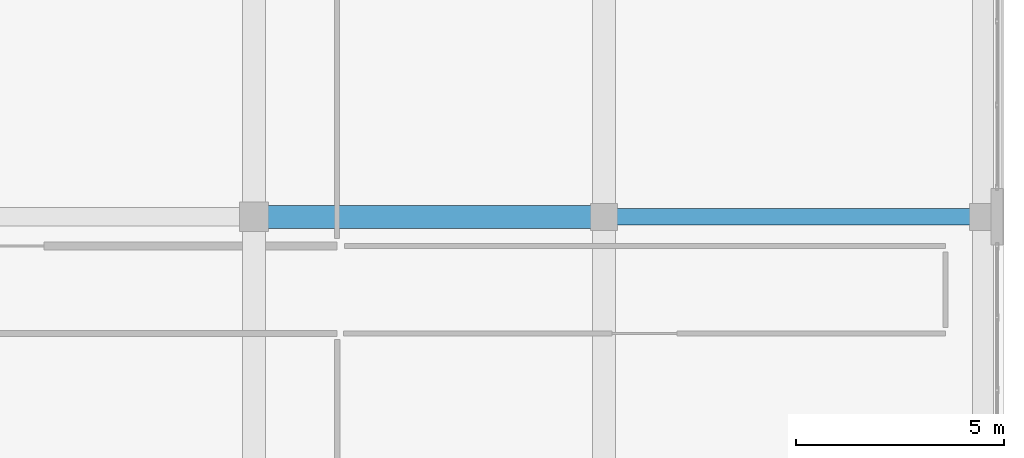
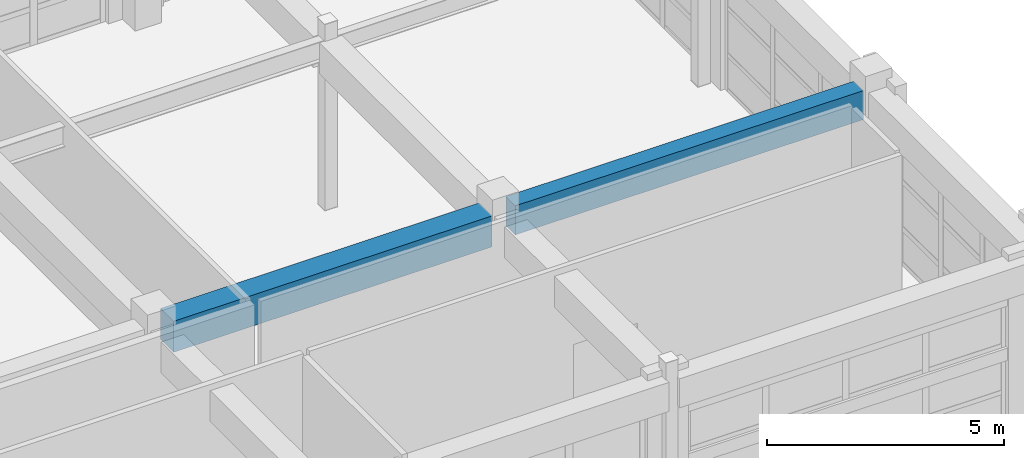
# One storey, part 79 of 123: 2 beams.
"""IFC4 building model written with IfcOpenShell, lengths in metres."""

import ifcopenshell
import ifcopenshell.guid

model = None  # the IFC model being written
_history = None  # IfcOwnerHistory: only IFC2X3 demands one
_inside = {}  # id of a spatial element -> (the spatial element, [elements in it])
_under = {}  # id of a project, library or spatial element -> (it, [spatial elements below it])
_declared = {}  # id of a project -> (the project, [libraries it declares])
_typed = {}  # id of a type object -> (the type object, [elements of that type])
_made_of = {}  # id of a material, layer set ... -> (it, [elements and type objects made of it])


def new_model(schema):
    """Start an empty IFC model of exactly this schema.

    Asked for "IFC4X3", IfcOpenShell would pick the latest addendum, in which some entities
    have other attributes; the version numbers below select the first issue.
    IFC2X3 requires an IfcOwnerHistory on every rooted entity: one is made here for all.
    """
    global model, _history
    if schema == "IFC4X3":
        model = ifcopenshell.file(schema_version=(4, 3, 0, 0))
    else:
        model = ifcopenshell.file(schema=schema)
    _inside.clear()
    _under.clear()
    _declared.clear()
    _typed.clear()
    _made_of.clear()
    _history = None
    if model.schema == "IFC2X3":
        org = make("IfcOrganization", Name="unknown")
        user = make(
            "IfcPersonAndOrganization",
            ThePerson=make("IfcPerson", FamilyName="unknown"),
            TheOrganization=org,
        )
        app = make(
            "IfcApplication",
            ApplicationDeveloper=org,
            Version="unknown",
            ApplicationFullName="unknown",
            ApplicationIdentifier="unknown",
        )
        _history = make(
            "IfcOwnerHistory",
            OwningUser=user,
            OwningApplication=app,
            ChangeAction="ADDED",
            CreationDate=0,
        )
    return model


def make(cls, **values):
    """One entity of the class cls with the attributes given. An attribute that is None is left unset."""
    return model.create_entity(
        cls, **{name: value for name, value in values.items() if value is not None}
    )


def rooted(cls, **values):
    """An entity with a GlobalId (a new one), such as an element, a storey or a relation."""
    return make(cls, GlobalId=ifcopenshell.guid.new(), OwnerHistory=_history, **values)


def si_unit(unit_type, name, prefix=None):
    """IfcSIUnit, for example si_unit("LENGTHUNIT", "METRE", prefix="MILLI")."""
    return make("IfcSIUnit", UnitType=unit_type, Prefix=prefix, Name=name)


def assignment(units):
    """IfcUnitAssignment: the units of a project."""
    return None if units is None else make("IfcUnitAssignment", Units=units)


def point(xyz):
    """IfcCartesianPoint."""
    return None if xyz is None else make("IfcCartesianPoint", Coordinates=xyz)


def direction(xyz):
    """IfcDirection."""
    return None if xyz is None else make("IfcDirection", DirectionRatios=xyz)


def frame(location, z_axis=None, x_axis=None):
    """IfcAxis2Placement3D, a coordinate frame: its origin and axes. An axis left out is left unset."""
    return make(
        "IfcAxis2Placement3D",
        Location=point(location),
        Axis=direction(z_axis),
        RefDirection=direction(x_axis),
    )


def frame_2d(location, x_axis=None):
    """IfcAxis2Placement2D, a coordinate frame in the plane: its origin and x axis."""
    return make(
        "IfcAxis2Placement2D", Location=point(location), RefDirection=direction(x_axis)
    )


def origin():
    """The frame at (0, 0, 0) with its axes left unset."""
    return frame((0.0, 0.0, 0.0))


def origin_2d():
    """The frame at (0, 0) in the plane with its x axis left unset."""
    return frame_2d((0.0, 0.0))


def place(relative_to, where):
    """IfcLocalPlacement: puts the frame where relative to a parent placement (None: the world)."""
    return make(
        "IfcLocalPlacement", PlacementRelTo=relative_to, RelativePlacement=where
    )


def context(
    kind, dimensions, precision=None, world=None, true_north=None, identifier=None
):
    """IfcGeometricRepresentationContext, for example the 3D "Model" context."""
    return make(
        "IfcGeometricRepresentationContext",
        ContextIdentifier=identifier,
        ContextType=kind,
        CoordinateSpaceDimension=dimensions,
        Precision=precision,
        WorldCoordinateSystem=world,
        TrueNorth=true_north,
    )


def subcontext(parent, identifier, kind, view, scale=None):
    """IfcGeometricRepresentationSubContext, for example "Body" below "Model"."""
    return make(
        "IfcGeometricRepresentationSubContext",
        ContextIdentifier=identifier,
        ContextType=kind,
        ParentContext=parent,
        TargetScale=scale,
        TargetView=view,
    )


def project(units=None, contexts=None):
    """IfcProject with its units and contexts."""
    return rooted(
        "IfcProject",
        Name="project",
        RepresentationContexts=contexts,
        UnitsInContext=assignment(units),
    )


def spatial(cls, under=None, at=None, **own):
    """A site, building, storey or space (cls), placed at a placement, below another one or the project."""
    s = rooted(cls, ObjectPlacement=at, **own)
    if under is not None:
        _under.setdefault(under.id(), (under, []))[1].append(s)
    return s


def profile(cls, at=None, kind="AREA", **sizes):
    """A parametric profile (cls). Its sizes go by their IFC names, for example OverallWidth=200.0."""
    return make(cls, ProfileType=kind, Position=at, **sizes)


def rectangle(**sizes):
    """IfcRectangleProfileDef."""
    return profile("IfcRectangleProfileDef", **sizes)


def extrude(swept, where, along, depth):
    """IfcExtrudedAreaSolid: the profile swept, set in the frame where, extruded along a direction by depth."""
    return make(
        "IfcExtrudedAreaSolid",
        SweptArea=swept,
        Position=where,
        ExtrudedDirection=direction(along),
        Depth=depth,
    )


def shape(context_of_items, identifier, shape_type, items):
    """IfcShapeRepresentation: the items that make up one representation, for example the "Body"."""
    return make(
        "IfcShapeRepresentation",
        ContextOfItems=context_of_items,
        RepresentationIdentifier=identifier,
        RepresentationType=shape_type,
        Items=items,
    )


def material(Name=None, Category=None):
    """IfcMaterial."""
    return make("IfcMaterial", Name=Name, Category=Category)


def material_profile(
    of_material, cross_section, Name=None, Category=None, Priority=None
):
    """IfcMaterialProfile: a cross section and its material."""
    return make(
        "IfcMaterialProfile",
        Name=Name,
        Material=of_material,
        Profile=cross_section,
        Priority=Priority,
        Category=Category,
    )


def profile_set(profiles, Name=None, composite=None):
    """IfcMaterialProfileSet."""
    return make(
        "IfcMaterialProfileSet",
        Name=Name,
        MaterialProfiles=profiles,
        CompositeProfile=composite,
    )


def made_of(thing, what):
    """Note that an element or type object is made of a material, layer set ...; save() writes the relation."""
    if what is not None:
        _made_of.setdefault(what.id(), (what, []))[1].append(thing)
    return thing


def type_object(cls, material=None, **own):
    """A type object (cls), such as IfcWallType, which elements share."""
    return made_of(rooted(cls, **own), material)


def element(
    cls,
    number,
    at=None,
    inside=None,
    cuts=None,
    type_object=None,
    material=None,
    context=None,
    identifier="Body",
    shape_type=None,
    held_by="IfcProductDefinitionShape",
    body=None,
    shapes=None,
    **own,
):
    """One element of the class cls, such as IfcWall. Its Tag is "e" and its number.

    at: its placement. inside: the storey or other place that contains it. cuts: it is an
    opening in that element (IfcRelVoidsElement). A single representation is given by context,
    identifier, shape_type and body (its items); several are given by shapes. held_by: the class
    of the entity that holds the representations. save() writes the other relations.
    """
    e = rooted(cls, Tag="e%d" % number, ObjectPlacement=at, **own)
    if body is not None:
        shapes = [shape(context, identifier, shape_type, body)]
    if shapes is not None:
        e.Representation = make(held_by, Representations=shapes)
    if inside is not None:
        _inside.setdefault(inside.id(), (inside, []))[1].append(e)
    if cuts is not None:
        rooted(
            "IfcRelVoidsElement", RelatingBuildingElement=cuts, RelatedOpeningElement=e
        )
    if type_object is not None:
        _typed.setdefault(type_object.id(), (type_object, []))[1].append(e)
    return made_of(e, material)


def aggregate(whole, parts):
    """IfcRelAggregates: a whole, such as a stair, and the parts it consists of."""
    return rooted("IfcRelAggregates", RelatingObject=whole, RelatedObjects=parts)


def save(model, path):
    """Write the relations noted so far, then the file.

    IfcRelAggregates (storeys below a building ...), IfcRelContainedInSpatialStructure (elements
    in a storey), IfcRelDefinesByType, IfcRelAssociatesMaterial and IfcRelDeclares: one each for
    every whole, place, type object, material and project.
    """
    for whole, parts in _under.values():
        aggregate(whole, parts)
    for where, things in _inside.values():
        rooted(
            "IfcRelContainedInSpatialStructure",
            RelatedElements=things,
            RelatingStructure=where,
        )
    for kind, things in _typed.values():
        rooted("IfcRelDefinesByType", RelatedObjects=things, RelatingType=kind)
    for what, things in _made_of.values():
        rooted("IfcRelAssociatesMaterial", RelatedObjects=things, RelatingMaterial=what)
    for by, libraries in _declared.values():
        rooted("IfcRelDeclares", RelatingContext=by, RelatedDefinitions=libraries)
    model.write(path)


model = new_model("IFC4")

# Units and contexts
model_context = context("Model", 3, precision=1e-05, world=origin(), true_north=direction((0.0, 1.0)))
body_context = subcontext(model_context, "Body", "Model", "MODEL_VIEW")
ifc_project = project(units=[si_unit("LENGTHUNIT", "METRE"), si_unit("AREAUNIT", "SQUARE_METRE"), si_unit("VOLUMEUNIT", "CUBIC_METRE"), si_unit("PLANEANGLEUNIT", "RADIAN"), si_unit("MASSUNIT", "GRAM", prefix="KILO")], contexts=[model_context])

# Site, building, storey
site_placement = place(None, origin())
site = spatial("IfcSite", under=ifc_project, at=site_placement, CompositionType="ELEMENT")
building_placement = place(site_placement, origin())
building = spatial("IfcBuilding", under=site, at=building_placement, Name="Quendrovan Civic Courthouse", CompositionType="ELEMENT")
storey_placement = place(building_placement, frame((0.0, 0.0, 5.39990234375)))
storey = spatial("IfcBuildingStorey", under=building, at=storey_placement, Name="L02", CompositionType="ELEMENT", Elevation=5.39990234375)

# Beams
ifc_material = material(Name="Concrete C40/50", Category="concrete")
ifc_material_profile_1 = material_profile(ifc_material, rectangle(XDim=0.39990234375, YDim=0.75, at=origin_2d()), Name="RC-BM-400x750")
ifc_profile_set_1 = profile_set([ifc_material_profile_1], Name="Concrete C40/50")
beam_type_1 = type_object("IfcBeamType", Name="BM-RC750B", PredefinedType="BEAM", material=ifc_profile_set_1)
beam_1_placement = place(storey_placement, frame((151.5048828125, 94.800048828125, 3.985107421875), z_axis=(1.0, 0.0, 0.0), x_axis=(0.0, 1.0, 0.0)))
element("IfcBeam", 1, at=beam_1_placement, inside=storey, type_object=beam_type_1, Name="L02 Girder X0574", PredefinedType="BEAM", context=body_context, shape_type="SweptSolid", body=[
    extrude(rectangle(XDim=0.39990234375, YDim=0.75, at=origin_2d()), origin(), (0.0, 0.0, 1.0), 8.490234375),
])
ifc_material_profile_2 = material_profile(ifc_material, rectangle(XDim=0.550048828125, YDim=0.800048828125, at=origin_2d()), Name="RC-BM-550x800")
ifc_profile_set_2 = profile_set([ifc_material_profile_2], Name="Concrete C40/50")
beam_type_2 = type_object("IfcBeamType", Name="BM-RC800", PredefinedType="BEAM", material=ifc_profile_set_2)
beam_2_placement = place(storey_placement, frame((143.1298828125, 94.800048828125, 3.960205078125), z_axis=(1.0, 0.0, 0.0), x_axis=(0.0, 1.0, 0.0)))
element("IfcBeam", 2, at=beam_2_placement, inside=storey, type_object=beam_type_2, Name="L02 Girder X0573", PredefinedType="BEAM", context=body_context, shape_type="SweptSolid", body=[
    extrude(rectangle(XDim=0.550048828125, YDim=0.800048828125, at=origin_2d()), origin(), (0.0, 0.0, 1.0), 7.76513671875),
])

save(model, "model.ifc")
